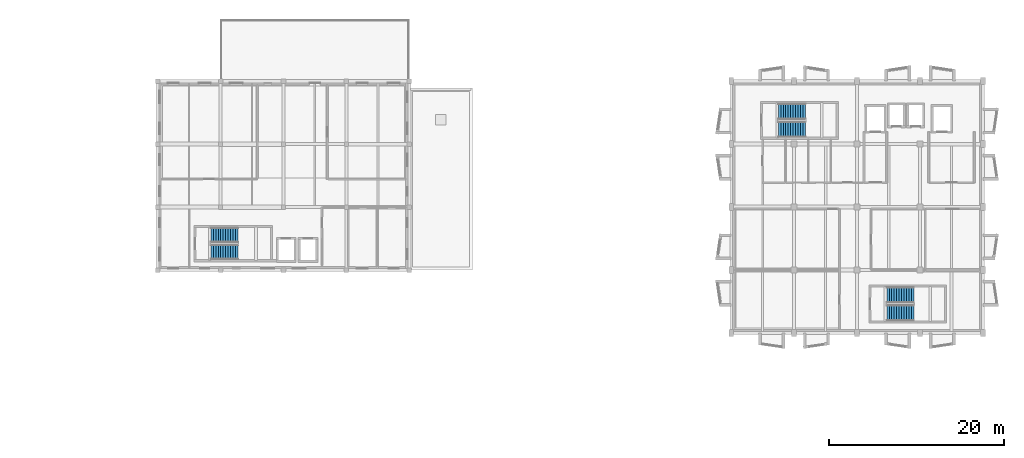
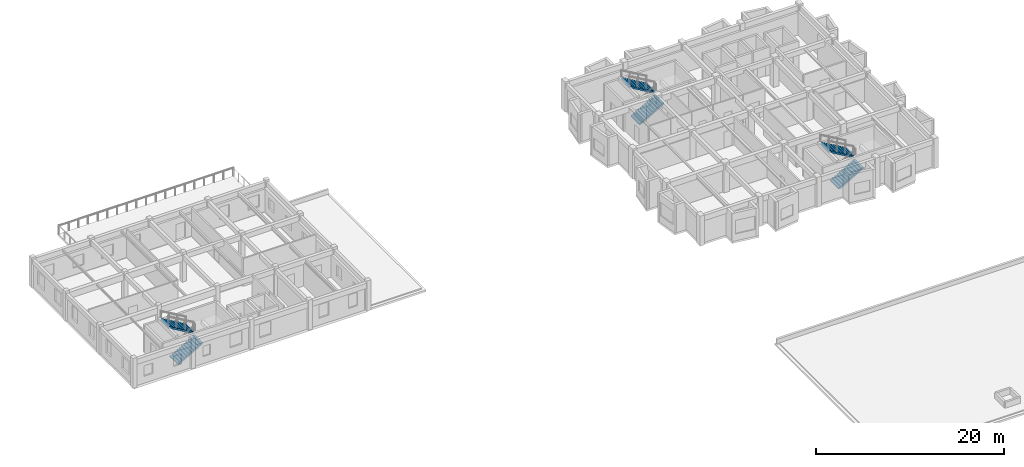
# One storey, part 16 of 20: 6 stair flights, 3 elements without a shape of their own.
"""IFC4 building model written with IfcOpenShell, lengths in metres."""

from ifc_helpers import new_model, si_unit, direction, frame, origin, place, context, subcontext, project, spatial, polyline, outline, extrude, material, type_object, element, aggregate, save


model = new_model("IFC4")

# Units and contexts
model_context = context("Model", 3, precision=1e-05, world=origin(), true_north=direction((0.0, 1.0)))
body_context = subcontext(model_context, "Body", "Model", "MODEL_VIEW")
ifc_project = project(units=[si_unit("LENGTHUNIT", "METRE"), si_unit("AREAUNIT", "SQUARE_METRE"), si_unit("VOLUMEUNIT", "CUBIC_METRE"), si_unit("PLANEANGLEUNIT", "RADIAN"), si_unit("MASSUNIT", "GRAM", prefix="KILO")], contexts=[model_context])

# Site, building, storey
site_placement = place(None, origin())
site = spatial("IfcSite", under=ifc_project, at=site_placement, CompositionType="ELEMENT")
building_placement = place(site_placement, origin())
building = spatial("IfcBuilding", under=site, at=building_placement, Name="Bramveld Media Centre", CompositionType="ELEMENT")
storey_placement = place(building_placement, frame((0.0, 0.0, 18.0)))
storey = spatial("IfcBuildingStorey", under=building, at=storey_placement, Name="L04", CompositionType="ELEMENT", Elevation=18.0)

# Stair, stair flights
ifc_material_1 = material(Name="Concrete C40/50", Category="concrete")
stair_type_1 = type_object("IfcStairType", Name="STAIR-ST-01-24R-1800", PredefinedType="HALF_TURN_STAIR", material=ifc_material_1)
stair_1_placement = place(storey_placement, origin())
stair_1 = element("IfcStair", 1, at=stair_1_placement, inside=storey, type_object=stair_type_1, Name="L04 Core A1 Pressurized Firefighting Stair", PredefinedType="HALF_TURN_STAIR")
ifc_material_2 = material(Name="Concrete C40/50", Category="concrete")
stair_flight_type_1 = type_object("IfcStairFlightType", Name="FLIGHT-ST-01-12R-1625", PredefinedType="STRAIGHT", material=ifc_material_2)
stair_flight_1_placement = place(storey_placement, frame((136.60009765625, 106.5, 0.0), z_axis=(0.0, 0.0, 1.0), x_axis=(1.0, 0.0, 0.0)))
stair_flight_1 = element("IfcStairFlight", 2, at=stair_flight_1_placement, type_object=stair_flight_type_1, Name="ST-01 flight 1", NumberOfRisers=12, NumberOfTreads=11, PredefinedType="STRAIGHT", RiserHeight=0.1625, TreadLength=0.28, context=body_context, shape_type="SweptSolid", body=[
    extrude(outline(polyline([(0.0, 0.0), (0.0, 0.16259765625), (0.280029296875, 0.16259765625), (0.280029296875, 0.324951171875), (0.56005859375, 0.324951171875), (0.56005859375, 0.487548828125), (0.840087890625, 0.487548828125), (0.840087890625, 0.64990234375), (1.1201171875, 0.64990234375), (1.1201171875, 0.8125), (1.39990234375, 0.8125), (1.39990234375, 0.97509765625), (1.679931640625, 0.97509765625), (1.679931640625, 1.137451171875), (1.9599609375, 1.137451171875), (1.9599609375, 1.300048828125), (2.239990234375, 1.300048828125), (2.239990234375, 1.46240234375), (2.52001953125, 1.46240234375), (2.52001953125, 1.625), (2.800048828125, 1.625), (2.800048828125, 1.78759765625), (3.080078125, 1.78759765625), (3.080078125, 1.949951171875), (3.080078125, 1.6025390625), (0.318603515625, 0.0), (0.0, 0.0)])), frame((0.0, 0.89990234375, 0.0), z_axis=(0.0, -1.0, 0.0), x_axis=(1.0, 0.0, 0.0)), (0.0, 0.0, 1.0), 1.800048828125),
])
stair_flight_2_placement = place(storey_placement, frame((139.679931640625, 108.550048828125, 1.949951171875), z_axis=(0.0, 0.0, 1.0), x_axis=(-1.0, 0.0, 0.0)))
stair_flight_2 = element("IfcStairFlight", 3, at=stair_flight_2_placement, type_object=stair_flight_type_1, Name="ST-01 flight 2", NumberOfRisers=12, NumberOfTreads=11, PredefinedType="STRAIGHT", RiserHeight=0.1625, TreadLength=0.28, context=body_context, shape_type="SweptSolid", body=[
    extrude(outline(polyline([(0.0, 0.0), (0.0, 0.16259765625), (0.280029296875, 0.16259765625), (0.280029296875, 0.324951171875), (0.56005859375, 0.324951171875), (0.56005859375, 0.487548828125), (0.840087890625, 0.487548828125), (0.840087890625, 0.64990234375), (1.1201171875, 0.64990234375), (1.1201171875, 0.8125), (1.39990234375, 0.8125), (1.39990234375, 0.97509765625), (1.679931640625, 0.97509765625), (1.679931640625, 1.137451171875), (1.9599609375, 1.137451171875), (1.9599609375, 1.300048828125), (2.239990234375, 1.300048828125), (2.239990234375, 1.46240234375), (2.52001953125, 1.46240234375), (2.52001953125, 1.625), (2.800048828125, 1.625), (2.800048828125, 1.78759765625), (3.080078125, 1.78759765625), (3.080078125, 1.949951171875), (3.080078125, 1.6025390625), (0.318603515625, 0.0), (0.0, 0.0)])), frame((0.0, 0.89990234375, 0.0), z_axis=(0.0, -1.0, 0.0), x_axis=(1.0, 0.0, 0.0)), (0.0, 0.0, 1.0), 1.800048828125),
])
aggregate(stair_1, [stair_flight_1, stair_flight_2])

ifc_material_3 = material(Name="Concrete C40/50", Category="concrete")
stair_type_2 = type_object("IfcStairType", Name="STAIR-ST-02-24R-1800", PredefinedType="HALF_TURN_STAIR", material=ifc_material_3)
stair_2_placement = place(storey_placement, origin())
stair_2 = element("IfcStair", 4, at=stair_2_placement, inside=storey, type_object=stair_type_2, Name="L04 Core A2 Pressurized Escape Stair", PredefinedType="HALF_TURN_STAIR")
ifc_material_4 = material(Name="Concrete C40/50", Category="concrete")
stair_flight_type_2 = type_object("IfcStairFlightType", Name="FLIGHT-ST-02-12R-1625", PredefinedType="STRAIGHT", material=ifc_material_4)
stair_flight_3_placement = place(storey_placement, frame((149.0, 85.5, 0.0), z_axis=(0.0, 0.0, 1.0), x_axis=(1.0, 0.0, 0.0)))
stair_flight_3 = element("IfcStairFlight", 5, at=stair_flight_3_placement, type_object=stair_flight_type_2, Name="ST-02 flight 1", NumberOfRisers=12, NumberOfTreads=11, PredefinedType="STRAIGHT", RiserHeight=0.1625, TreadLength=0.28, context=body_context, shape_type="SweptSolid", body=[
    extrude(outline(polyline([(0.0, 0.0), (0.0, 0.16259765625), (0.280029296875, 0.16259765625), (0.280029296875, 0.324951171875), (0.56005859375, 0.324951171875), (0.56005859375, 0.487548828125), (0.840087890625, 0.487548828125), (0.840087890625, 0.64990234375), (1.1201171875, 0.64990234375), (1.1201171875, 0.8125), (1.39990234375, 0.8125), (1.39990234375, 0.97509765625), (1.679931640625, 0.97509765625), (1.679931640625, 1.137451171875), (1.9599609375, 1.137451171875), (1.9599609375, 1.300048828125), (2.239990234375, 1.300048828125), (2.239990234375, 1.46240234375), (2.52001953125, 1.46240234375), (2.52001953125, 1.625), (2.800048828125, 1.625), (2.800048828125, 1.78759765625), (3.080078125, 1.78759765625), (3.080078125, 1.949951171875), (3.080078125, 1.6025390625), (0.318603515625, 0.0), (0.0, 0.0)])), frame((0.0, 0.89990234375, 0.0), z_axis=(0.0, -1.0, 0.0), x_axis=(1.0, 0.0, 0.0)), (0.0, 0.0, 1.0), 1.800048828125),
])
stair_flight_4_placement = place(storey_placement, frame((152.080078125, 87.550048828125, 1.949951171875), z_axis=(0.0, 0.0, 1.0), x_axis=(-1.0, 0.0, 0.0)))
stair_flight_4 = element("IfcStairFlight", 6, at=stair_flight_4_placement, type_object=stair_flight_type_2, Name="ST-02 flight 2", NumberOfRisers=12, NumberOfTreads=11, PredefinedType="STRAIGHT", RiserHeight=0.1625, TreadLength=0.28, context=body_context, shape_type="SweptSolid", body=[
    extrude(outline(polyline([(0.0, 0.0), (0.0, 0.16259765625), (0.280029296875, 0.16259765625), (0.280029296875, 0.324951171875), (0.56005859375, 0.324951171875), (0.56005859375, 0.487548828125), (0.840087890625, 0.487548828125), (0.840087890625, 0.64990234375), (1.1201171875, 0.64990234375), (1.1201171875, 0.8125), (1.39990234375, 0.8125), (1.39990234375, 0.97509765625), (1.679931640625, 0.97509765625), (1.679931640625, 1.137451171875), (1.9599609375, 1.137451171875), (1.9599609375, 1.300048828125), (2.239990234375, 1.300048828125), (2.239990234375, 1.46240234375), (2.52001953125, 1.46240234375), (2.52001953125, 1.625), (2.800048828125, 1.625), (2.800048828125, 1.78759765625), (3.080078125, 1.78759765625), (3.080078125, 1.949951171875), (3.080078125, 1.6025390625), (0.318603515625, 0.0), (0.0, 0.0)])), frame((0.0, 0.89990234375, 0.0), z_axis=(0.0, -1.0, 0.0), x_axis=(1.0, 0.0, 0.0)), (0.0, 0.0, 1.0), 1.800048828125),
])
aggregate(stair_2, [stair_flight_3, stair_flight_4])

ifc_material_5 = material(Name="Concrete C40/50", Category="concrete")
stair_type_3 = type_object("IfcStairType", Name="STAIR-ST-07-24R-1700", PredefinedType="HALF_TURN_STAIR", material=ifc_material_5)
stair_3_placement = place(storey_placement, origin())
stair_3 = element("IfcStair", 7, at=stair_3_placement, inside=storey, type_object=stair_type_3, Name="L04 Exhibition & Sound Lab Primary Stair", PredefinedType="HALF_TURN_STAIR")
ifc_material_6 = material(Name="Concrete C40/50", Category="concrete")
stair_flight_type_3 = type_object("IfcStairFlightType", Name="FLIGHT-ST-07-12R-1625", PredefinedType="STRAIGHT", material=ifc_material_6)
stair_flight_5_placement = place(storey_placement, frame((71.699951171875, 92.449951171875, 0.0), z_axis=(0.0, 0.0, 1.0), x_axis=(1.0, 0.0, 0.0)))
stair_flight_5 = element("IfcStairFlight", 8, at=stair_flight_5_placement, type_object=stair_flight_type_3, Name="ST-07 flight 1", NumberOfRisers=12, NumberOfTreads=11, PredefinedType="STRAIGHT", RiserHeight=0.1625, TreadLength=0.28, context=body_context, shape_type="SweptSolid", body=[
    extrude(outline(polyline([(0.0, 0.0), (0.0, 0.16259765625), (0.280029296875, 0.16259765625), (0.280029296875, 0.324951171875), (0.56005859375, 0.324951171875), (0.56005859375, 0.487548828125), (0.840087890625, 0.487548828125), (0.840087890625, 0.64990234375), (1.1201171875, 0.64990234375), (1.1201171875, 0.8125), (1.39990234375, 0.8125), (1.39990234375, 0.97509765625), (1.679931640625, 0.97509765625), (1.679931640625, 1.137451171875), (1.9599609375, 1.137451171875), (1.9599609375, 1.300048828125), (2.239990234375, 1.300048828125), (2.239990234375, 1.46240234375), (2.52001953125, 1.46240234375), (2.52001953125, 1.625), (2.800048828125, 1.625), (2.800048828125, 1.78759765625), (3.080078125, 1.78759765625), (3.080078125, 1.949951171875), (3.080078125, 1.6025390625), (0.318603515625, 0.0), (0.0, 0.0)])), frame((0.0, 0.85009765625, 0.0), z_axis=(0.0, -1.0, 0.0), x_axis=(1.0, 0.0, 0.0)), (0.0, 0.0, 1.0), 1.699951171875),
])
stair_flight_6_placement = place(storey_placement, frame((74.780029296875, 94.39990234375, 1.949951171875), z_axis=(0.0, 0.0, 1.0), x_axis=(-1.0, 0.0, 0.0)))
stair_flight_6 = element("IfcStairFlight", 9, at=stair_flight_6_placement, type_object=stair_flight_type_3, Name="ST-07 flight 2", NumberOfRisers=12, NumberOfTreads=11, PredefinedType="STRAIGHT", RiserHeight=0.1625, TreadLength=0.28, context=body_context, shape_type="SweptSolid", body=[
    extrude(outline(polyline([(0.0, 0.0), (0.0, 0.16259765625), (0.280029296875, 0.16259765625), (0.280029296875, 0.324951171875), (0.56005859375, 0.324951171875), (0.56005859375, 0.487548828125), (0.840087890625, 0.487548828125), (0.840087890625, 0.64990234375), (1.1201171875, 0.64990234375), (1.1201171875, 0.8125), (1.39990234375, 0.8125), (1.39990234375, 0.97509765625), (1.679931640625, 0.97509765625), (1.679931640625, 1.137451171875), (1.9599609375, 1.137451171875), (1.9599609375, 1.300048828125), (2.239990234375, 1.300048828125), (2.239990234375, 1.46240234375), (2.52001953125, 1.46240234375), (2.52001953125, 1.625), (2.800048828125, 1.625), (2.800048828125, 1.78759765625), (3.080078125, 1.78759765625), (3.080078125, 1.949951171875), (3.080078125, 1.6025390625), (0.318603515625, 0.0), (0.0, 0.0)])), frame((0.0, 0.85009765625, 0.0), z_axis=(0.0, -1.0, 0.0), x_axis=(1.0, 0.0, 0.0)), (0.0, 0.0, 1.0), 1.699951171875),
])
aggregate(stair_3, [stair_flight_5, stair_flight_6])

save(model, "model.ifc")
